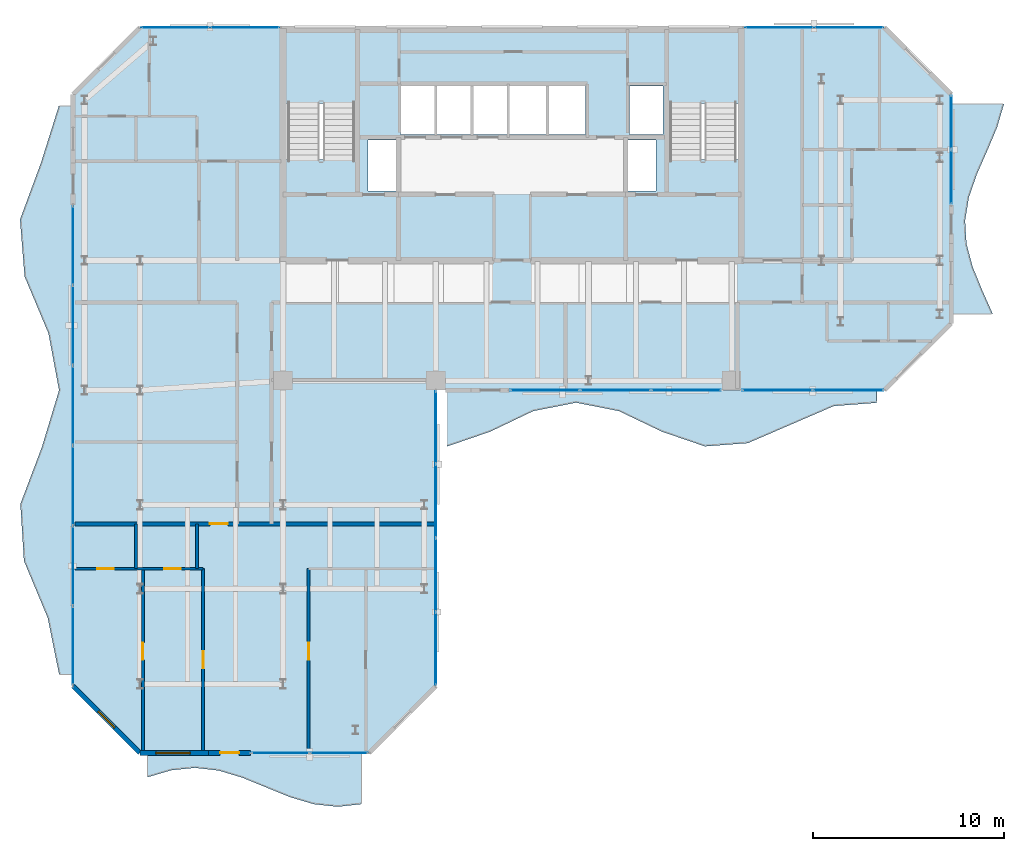
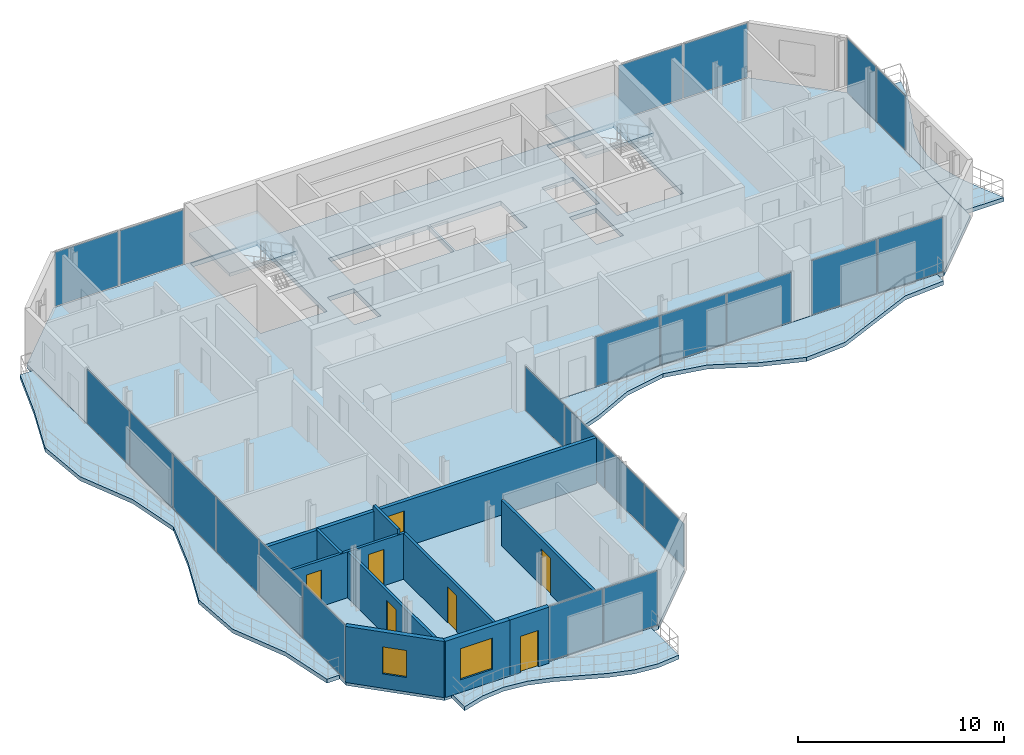
# One storey, part 17 of 23: 23 plates, 10 walls, 7 doors, 7 slabs, 2 windows, 9 openings, 10 elements without a shape of their own.
"""IFC4 building model written with IfcOpenShell, lengths in metres."""

from ifc_helpers import new_model, si_unit, direction, frame, frame_2d, origin, origin_2d, place, context, subcontext, project, spatial, polyline, rectangle, outline, extrude, material, layer, layer_set, type_object, element, fill, aggregate, save


model = new_model("IFC4")

# Units and contexts
model_context = context("Model", 3, precision=1e-05, world=origin(), true_north=direction((0.0, 1.0)))
body_context = subcontext(model_context, "Body", "Model", "MODEL_VIEW")
ifc_project = project(units=[si_unit("LENGTHUNIT", "METRE"), si_unit("AREAUNIT", "SQUARE_METRE"), si_unit("VOLUMEUNIT", "CUBIC_METRE"), si_unit("PLANEANGLEUNIT", "RADIAN"), si_unit("MASSUNIT", "GRAM", prefix="KILO")], contexts=[model_context])

# Site, building, storey
site_placement = place(None, origin())
site = spatial("IfcSite", under=ifc_project, at=site_placement, CompositionType="ELEMENT")
building_placement = place(site_placement, origin())
building = spatial("IfcBuilding", under=site, at=building_placement, Name="Catumbela Crestline Tower", CompositionType="ELEMENT")
storey_placement = place(building_placement, frame((0.0, 0.0, 201.0)))
storey = spatial("IfcBuildingStorey", under=building, at=storey_placement, Name="L52", CompositionType="ELEMENT", Elevation=201.0)

# Curtain wall, plates
ifc_material_1 = material(Name="Aluminium alloy AW-6060-T66", Category="aluminium")
ifc_layer_1 = layer(ifc_material_1, 0.18, Name="Aluminium alloy AW-6060-T66")
ifc_layer_set_1 = layer_set([ifc_layer_1], Name="Aluminium alloy AW-6060-T66")
curtain_wall_type = type_object("IfcCurtainWallType", Name="CWU-Z3", PredefinedType="USERDEFINED", material=ifc_layer_set_1)
curtain_wall_1_placement = place(storey_placement, origin())
curtain_wall_1 = element("IfcCurtainWall", 1, at=curtain_wall_1_placement, inside=storey, type_object=curtain_wall_type, Name="L52 Unitised Curtain Wall CW-L52-E0S2", ObjectType="UNITISED", PredefinedType="USERDEFINED")
ifc_material_2 = material(Name="Low-E laminated solar-control double glazing", Category="glass")
ifc_layer_2 = layer(ifc_material_2, 0.036, Name="Low-E laminated solar-control double glazing")
ifc_layer_set_2 = layer_set([ifc_layer_2], Name="Low-E laminated solar-control double glazing")
plate_type = type_object("IfcPlateType", Name="PNL-GLZ-Z3", PredefinedType="CURTAIN_PANEL", material=ifc_layer_set_2)
plate_1_placement = place(storey_placement, frame((15.8662, 5.0, 0.06), z_axis=(0.0, 0.0, 1.0), x_axis=(1.0, 0.0, 0.0)))
plate_1 = element("IfcPlate", 2, at=plate_1_placement, type_object=plate_type, Name="CWU-Z3 panel 1.1", PredefinedType="CURTAIN_PANEL", context=body_context, shape_type="SweptSolid", body=[
    extrude(rectangle(XDim=3.0025, YDim=0.034, at=origin_2d()), origin(), (0.0, 0.0, 1.0), 3.21),
])
plate_2_placement = place(storey_placement, frame((18.9338, 5.0, 0.06), z_axis=(0.0, 0.0, 1.0), x_axis=(1.0, 0.0, 0.0)))
plate_2 = element("IfcPlate", 3, at=plate_2_placement, type_object=plate_type, Name="CWU-Z3 panel 2.1", PredefinedType="CURTAIN_PANEL", context=body_context, shape_type="SweptSolid", body=[
    extrude(rectangle(XDim=3.0025, YDim=0.034, at=origin_2d()), origin(), (0.0, 0.0, 1.0), 3.21),
])
aggregate(curtain_wall_1, [plate_1, plate_2])

curtain_wall_2_placement = place(storey_placement, origin())
curtain_wall_2 = element("IfcCurtainWall", 4, at=curtain_wall_2_placement, inside=storey, type_object=curtain_wall_type, Name="L52 Unitised Curtain Wall CW-L52-E2S1", ObjectType="UNITISED", PredefinedType="USERDEFINED")
plate_3_placement = place(storey_placement, frame((24.0, 10.4538, 0.06), z_axis=(0.0, 0.0, 1.0), x_axis=(0.0, 1.0, 0.0)))
plate_3 = element("IfcPlate", 5, at=plate_3_placement, type_object=plate_type, Name="CWU-Z3 panel 1.1", PredefinedType="CURTAIN_PANEL", context=body_context, shape_type="SweptSolid", body=[
    extrude(rectangle(XDim=3.7775, YDim=0.034, at=origin_2d()), origin(), (0.0, 0.0, 1.0), 2.6),
])
plate_4_placement = place(storey_placement, frame((24.0, 14.3125, 0.06), z_axis=(0.0, 0.0, 1.0), x_axis=(0.0, 1.0, 0.0)))
plate_4 = element("IfcPlate", 6, at=plate_4_placement, type_object=plate_type, Name="CWU-Z3 panel 2.1", PredefinedType="CURTAIN_PANEL", context=body_context, shape_type="SweptSolid", body=[
    extrude(rectangle(XDim=3.81, YDim=0.034, at=origin_2d()), origin(), (0.0, 0.0, 1.0), 2.6),
])
plate_5_placement = place(storey_placement, frame((24.0, 18.1875, 0.06), z_axis=(0.0, 0.0, 1.0), x_axis=(0.0, 1.0, 0.0)))
plate_5 = element("IfcPlate", 7, at=plate_5_placement, type_object=plate_type, Name="CWU-Z3 panel 3.1", PredefinedType="CURTAIN_PANEL", context=body_context, shape_type="SweptSolid", body=[
    extrude(rectangle(XDim=3.81, YDim=0.034, at=origin_2d()), origin(), (0.0, 0.0, 1.0), 2.6),
])
plate_6_placement = place(storey_placement, frame((24.0, 22.0462, 0.06), z_axis=(0.0, 0.0, 1.0), x_axis=(0.0, 1.0, 0.0)))
plate_6 = element("IfcPlate", 8, at=plate_6_placement, type_object=plate_type, Name="CWU-Z3 panel 4.1", PredefinedType="CURTAIN_PANEL", context=body_context, shape_type="SweptSolid", body=[
    extrude(rectangle(XDim=3.7775, YDim=0.034, at=origin_2d()), origin(), (0.0, 0.0, 1.0), 2.6),
])
aggregate(curtain_wall_2, [plate_3, plate_4, plate_5, plate_6])

curtain_wall_3_placement = place(storey_placement, origin())
curtain_wall_3 = element("IfcCurtainWall", 9, at=curtain_wall_3_placement, inside=storey, type_object=curtain_wall_type, Name="L52 Unitised Curtain Wall CW-L52-E3S2", ObjectType="UNITISED", PredefinedType="USERDEFINED")
plate_7_placement = place(storey_placement, frame((29.7246, 24.0, 0.06), z_axis=(0.0, 0.0, 1.0), x_axis=(1.0, 0.0, 0.0)))
plate_7 = element("IfcPlate", 10, at=plate_7_placement, type_object=plate_type, Name="CWU-Z3 panel 1.1", PredefinedType="CURTAIN_PANEL", context=body_context, shape_type="SweptSolid", body=[
    extrude(rectangle(XDim=3.6192, YDim=0.034, at=origin_2d()), origin(), (0.0, 0.0, 1.0), 2.92),
])
plate_8_placement = place(storey_placement, frame((33.425, 24.0, 0.06), z_axis=(0.0, 0.0, 1.0), x_axis=(1.0, 0.0, 0.0)))
plate_8 = element("IfcPlate", 11, at=plate_8_placement, type_object=plate_type, Name="CWU-Z3 panel 2.1", PredefinedType="CURTAIN_PANEL", context=body_context, shape_type="SweptSolid", body=[
    extrude(rectangle(XDim=3.6517, YDim=0.034, at=origin_2d()), origin(), (0.0, 0.0, 1.0), 2.92),
])
plate_9_placement = place(storey_placement, frame((37.1254, 24.0, 0.06), z_axis=(0.0, 0.0, 1.0), x_axis=(1.0, 0.0, 0.0)))
plate_9 = element("IfcPlate", 12, at=plate_9_placement, type_object=plate_type, Name="CWU-Z3 panel 3.1", PredefinedType="CURTAIN_PANEL", context=body_context, shape_type="SweptSolid", body=[
    extrude(rectangle(XDim=3.6192, YDim=0.034, at=origin_2d()), origin(), (0.0, 0.0, 1.0), 2.92),
])
aggregate(curtain_wall_3, [plate_7, plate_8, plate_9])

curtain_wall_4_placement = place(storey_placement, origin())
curtain_wall_4 = element("IfcCurtainWall", 13, at=curtain_wall_4_placement, inside=storey, type_object=curtain_wall_type, Name="L52 Unitised Curtain Wall CW-L52-E3S3", ObjectType="UNITISED", PredefinedType="USERDEFINED")
plate_10_placement = place(storey_placement, frame((41.8912, 24.0, 0.06), z_axis=(0.0, 0.0, 1.0), x_axis=(1.0, 0.0, 0.0)))
plate_10 = element("IfcPlate", 14, at=plate_10_placement, type_object=plate_type, Name="CWU-Z3 panel 1.1", PredefinedType="CURTAIN_PANEL", context=body_context, shape_type="SweptSolid", body=[
    extrude(rectangle(XDim=3.6525, YDim=0.034, at=origin_2d()), origin(), (0.0, 0.0, 1.0), 3.21),
])
plate_11_placement = place(storey_placement, frame((45.6088, 24.0, 0.06), z_axis=(0.0, 0.0, 1.0), x_axis=(1.0, 0.0, 0.0)))
plate_11 = element("IfcPlate", 15, at=plate_11_placement, type_object=plate_type, Name="CWU-Z3 panel 2.1", PredefinedType="CURTAIN_PANEL", context=body_context, shape_type="SweptSolid", body=[
    extrude(rectangle(XDim=3.6525, YDim=0.034, at=origin_2d()), origin(), (0.0, 0.0, 1.0), 3.21),
])
aggregate(curtain_wall_4, [plate_10, plate_11])

curtain_wall_5_placement = place(storey_placement, origin())
curtain_wall_5 = element("IfcCurtainWall", 16, at=curtain_wall_5_placement, inside=storey, type_object=curtain_wall_type, Name="L52 Unitised Curtain Wall CW-L52-E5S2", ObjectType="UNITISED", PredefinedType="USERDEFINED")
plate_12_placement = place(storey_placement, frame((51.0, 35.1662, 0.06), z_axis=(0.0, 0.0, 1.0), x_axis=(0.0, 1.0, 0.0)))
plate_12 = element("IfcPlate", 17, at=plate_12_placement, type_object=plate_type, Name="CWU-Z3 panel 1.1", PredefinedType="CURTAIN_PANEL", context=body_context, shape_type="SweptSolid", body=[
    extrude(rectangle(XDim=2.8025, YDim=0.034, at=origin_2d()), origin(), (0.0, 0.0, 1.0), 3.21),
])
plate_13_placement = place(storey_placement, frame((51.0, 38.0338, 0.06), z_axis=(0.0, 0.0, 1.0), x_axis=(0.0, 1.0, 0.0)))
plate_13 = element("IfcPlate", 18, at=plate_13_placement, type_object=plate_type, Name="CWU-Z3 panel 2.1", PredefinedType="CURTAIN_PANEL", context=body_context, shape_type="SweptSolid", body=[
    extrude(rectangle(XDim=2.8025, YDim=0.034, at=origin_2d()), origin(), (0.0, 0.0, 1.0), 3.21),
])
aggregate(curtain_wall_5, [plate_12, plate_13])

curtain_wall_6_placement = place(storey_placement, origin())
curtain_wall_6 = element("IfcCurtainWall", 19, at=curtain_wall_6_placement, inside=storey, type_object=curtain_wall_type, Name="L52 Unitised Curtain Wall CW-L52-E7S1", ObjectType="UNITISED", PredefinedType="USERDEFINED")
plate_14_placement = place(storey_placement, frame((45.6438, 43.0, 0.06), z_axis=(0.0, 0.0, 1.0), x_axis=(-1.0, 0.0, 0.0)))
plate_14 = element("IfcPlate", 20, at=plate_14_placement, type_object=plate_type, Name="CWU-Z3 panel 1.1", PredefinedType="CURTAIN_PANEL", context=body_context, shape_type="SweptSolid", body=[
    extrude(rectangle(XDim=3.5825, YDim=0.034, at=origin_2d()), origin(), (0.0, 0.0, 1.0), 3.21),
])
plate_15_placement = place(storey_placement, frame((41.9963, 43.0, 0.06), z_axis=(0.0, 0.0, 1.0), x_axis=(-1.0, 0.0, 0.0)))
plate_15 = element("IfcPlate", 21, at=plate_15_placement, type_object=plate_type, Name="CWU-Z3 panel 2.1", PredefinedType="CURTAIN_PANEL", context=body_context, shape_type="SweptSolid", body=[
    extrude(rectangle(XDim=3.5825, YDim=0.034, at=origin_2d()), origin(), (0.0, 0.0, 1.0), 3.21),
])
aggregate(curtain_wall_6, [plate_14, plate_15])

curtain_wall_7_placement = place(storey_placement, origin())
curtain_wall_7 = element("IfcCurtainWall", 22, at=curtain_wall_7_placement, inside=storey, type_object=curtain_wall_type, Name="L52 Unitised Curtain Wall CW-L52-E7S2", ObjectType="UNITISED", PredefinedType="USERDEFINED")
plate_16_placement = place(storey_placement, frame((14.0038, 43.0, 0.06), z_axis=(0.0, 0.0, 1.0), x_axis=(-1.0, 0.0, 0.0)))
plate_16 = element("IfcPlate", 23, at=plate_16_placement, type_object=plate_type, Name="CWU-Z3 panel 1.1", PredefinedType="CURTAIN_PANEL", context=body_context, shape_type="SweptSolid", body=[
    extrude(rectangle(XDim=3.5825, YDim=0.034, at=origin_2d()), origin(), (0.0, 0.0, 1.0), 3.21),
])
plate_17_placement = place(storey_placement, frame((10.3562, 43.0, 0.06), z_axis=(0.0, 0.0, 1.0), x_axis=(-1.0, 0.0, 0.0)))
plate_17 = element("IfcPlate", 24, at=plate_17_placement, type_object=plate_type, Name="CWU-Z3 panel 2.1", PredefinedType="CURTAIN_PANEL", context=body_context, shape_type="SweptSolid", body=[
    extrude(rectangle(XDim=3.5825, YDim=0.034, at=origin_2d()), origin(), (0.0, 0.0, 1.0), 3.21),
])
aggregate(curtain_wall_7, [plate_16, plate_17])

curtain_wall_8_placement = place(storey_placement, origin())
curtain_wall_8 = element("IfcCurtainWall", 25, at=curtain_wall_8_placement, inside=storey, type_object=curtain_wall_type, Name="L52 Unitised Curtain Wall CW-L52-E9S2", ObjectType="UNITISED", PredefinedType="USERDEFINED")
plate_18_placement = place(storey_placement, frame((5.0, 31.5838, 0.06), z_axis=(0.0, 0.0, 1.0), x_axis=(0.0, -1.0, 0.0)))
plate_18 = element("IfcPlate", 26, at=plate_18_placement, type_object=plate_type, Name="CWU-Z3 panel 1.1", PredefinedType="CURTAIN_PANEL", context=body_context, shape_type="SweptSolid", body=[
    extrude(rectangle(XDim=4.1025, YDim=0.034, at=origin_2d()), origin(), (0.0, 0.0, 1.0), 3.21),
])
plate_19_placement = place(storey_placement, frame((5.0, 27.4, 0.06), z_axis=(0.0, 0.0, 1.0), x_axis=(0.0, -1.0, 0.0)))
plate_19 = element("IfcPlate", 27, at=plate_19_placement, type_object=plate_type, Name="CWU-Z3 panel 2.1", PredefinedType="CURTAIN_PANEL", context=body_context, shape_type="SweptSolid", body=[
    extrude(rectangle(XDim=4.135, YDim=0.034, at=origin_2d()), origin(), (0.0, 0.0, 1.0), 3.21),
])
plate_20_placement = place(storey_placement, frame((5.0, 23.2, 0.06), z_axis=(0.0, 0.0, 1.0), x_axis=(0.0, -1.0, 0.0)))
plate_20 = element("IfcPlate", 28, at=plate_20_placement, type_object=plate_type, Name="CWU-Z3 panel 3.1", PredefinedType="CURTAIN_PANEL", context=body_context, shape_type="SweptSolid", body=[
    extrude(rectangle(XDim=4.135, YDim=0.034, at=origin_2d()), origin(), (0.0, 0.0, 1.0), 3.21),
])
plate_21_placement = place(storey_placement, frame((5.0, 19.0, 0.06), z_axis=(0.0, 0.0, 1.0), x_axis=(0.0, -1.0, 0.0)))
plate_21 = element("IfcPlate", 29, at=plate_21_placement, type_object=plate_type, Name="CWU-Z3 panel 4.1", PredefinedType="CURTAIN_PANEL", context=body_context, shape_type="SweptSolid", body=[
    extrude(rectangle(XDim=4.135, YDim=0.034, at=origin_2d()), origin(), (0.0, 0.0, 1.0), 3.21),
])
plate_22_placement = place(storey_placement, frame((5.0, 14.8, 0.06), z_axis=(0.0, 0.0, 1.0), x_axis=(0.0, -1.0, 0.0)))
plate_22 = element("IfcPlate", 30, at=plate_22_placement, type_object=plate_type, Name="CWU-Z3 panel 5.1", PredefinedType="CURTAIN_PANEL", context=body_context, shape_type="SweptSolid", body=[
    extrude(rectangle(XDim=4.135, YDim=0.034, at=origin_2d()), origin(), (0.0, 0.0, 1.0), 3.21),
])
plate_23_placement = place(storey_placement, frame((5.0, 10.6163, 0.06), z_axis=(0.0, 0.0, 1.0), x_axis=(0.0, -1.0, 0.0)))
plate_23 = element("IfcPlate", 31, at=plate_23_placement, type_object=plate_type, Name="CWU-Z3 panel 6.1", PredefinedType="CURTAIN_PANEL", context=body_context, shape_type="SweptSolid", body=[
    extrude(rectangle(XDim=4.1025, YDim=0.034, at=origin_2d()), origin(), (0.0, 0.0, 1.0), 3.21),
])
aggregate(curtain_wall_8, [plate_18, plate_19, plate_20, plate_21, plate_22, plate_23])

# Stair, slab
ifc_material_3 = material(Name="Concrete C45/55", Category="concrete")
stair_type = type_object("IfcStairType", Name="ST-DLG", PredefinedType="HALF_TURN_STAIR", material=ifc_material_3)
stair_1_placement = place(storey_placement, origin())
stair_1 = element("IfcStair", 32, at=stair_1_placement, inside=storey, type_object=stair_type, Name="L52 West Core Pressurised Exit Stair ST-01", PredefinedType="HALF_TURN_STAIR")
ifc_layer_3 = layer(ifc_material_3, 0.2, Name="Concrete C45/55")
ifc_layer_set_3 = layer_set([ifc_layer_3], Name="Concrete C45/55")
slab_type_1 = type_object("IfcSlabType", Name="SL-LND", PredefinedType="LANDING", material=ifc_layer_set_3)
slab_1_placement = place(storey_placement, frame((0.0, 0.0, 1.6)))
slab_1 = element("IfcSlab", 33, at=slab_1_placement, type_object=slab_type_1, Name="ST-01 landing 1", PredefinedType="LANDING", context=body_context, shape_type="SweptSolid", body=[
    extrude(outline(polyline([(19.91, 39.02), (19.91, 42.96), (16.09, 42.96), (16.09, 39.02), (19.91, 39.02)])), origin(), (0.0, 0.0, 1.0), 0.2),
])
aggregate(stair_1, [slab_1])

stair_2_placement = place(storey_placement, origin())
stair_2 = element("IfcStair", 34, at=stair_2_placement, inside=storey, type_object=stair_type, Name="L52 East Core Pressurised Exit Stair ST-02", PredefinedType="HALF_TURN_STAIR")
slab_2_placement = place(storey_placement, frame((0.0, 0.0, 1.6)))
slab_2 = element("IfcSlab", 35, at=slab_2_placement, type_object=slab_type_1, Name="ST-02 landing 1", PredefinedType="LANDING", context=body_context, shape_type="SweptSolid", body=[
    extrude(outline(polyline([(39.91, 39.02), (39.91, 42.96), (36.09, 42.96), (36.09, 39.02), (39.91, 39.02)])), origin(), (0.0, 0.0, 1.0), 0.2),
])
aggregate(stair_2, [slab_2])

# Slabs
ifc_layer_4 = layer(ifc_material_3, 0.26, Name="Concrete C45/55")
ifc_layer_set_4 = layer_set([ifc_layer_4], Name="Concrete C45/55")
slab_type_2 = type_object("IfcSlabType", Name="SL-260", PredefinedType="FLOOR", material=ifc_layer_set_4)
slab_3_placement = place(storey_placement, frame((0.0, 0.0, -0.26)))
element("IfcSlab", 36, at=slab_3_placement, inside=storey, type_object=slab_type_2, Name="L52 Structural Floor Slab", PredefinedType="FLOOR", context=body_context, shape_type="SweptSolid", body=[
    extrude(outline(polyline([(8.5, 5.0), (20.5, 5.0), (24.0, 8.5), (24.0, 24.0), (47.5, 24.0), (51.0, 27.5), (51.0, 39.5), (47.5, 43.0), (8.5, 43.0), (5.0, 39.5), (5.0, 8.5), (8.5, 5.0)]), holes=[polyline([(16.13, 36.08), (19.87, 36.08), (19.87, 42.92), (16.13, 42.92), (16.13, 36.08)]), polyline([(36.13, 36.08), (39.87, 36.08), (39.87, 42.92), (36.13, 42.92), (36.13, 36.08)]), polyline([(22.15, 37.4), (27.75, 37.4), (27.75, 39.95), (22.15, 39.95), (22.15, 37.4)]), polyline([(27.85, 37.4), (31.85, 37.4), (31.85, 39.95), (27.85, 39.95), (27.85, 37.4)]), polyline([(20.45, 34.45), (21.95, 34.45), (21.95, 37.1), (20.45, 37.1), (20.45, 34.45)]), polyline([(34.05, 34.45), (35.55, 34.45), (35.55, 37.1), (34.05, 37.1), (34.05, 34.45)]), polyline([(34.15, 37.4), (35.9, 37.4), (35.9, 39.95), (34.15, 39.95), (34.15, 37.4)])]), origin(), (0.0, 0.0, 1.0), 0.26),
])
ifc_layer_5 = layer(ifc_material_3, 0.24, Name="Concrete C45/55")
ifc_layer_set_5 = layer_set([ifc_layer_5], Name="Concrete C45/55")
slab_type_3 = type_object("IfcSlabType", Name="SB-240W", PredefinedType="USERDEFINED", material=ifc_layer_set_5)
slab_4_placement = place(storey_placement, frame((0.0, 0.0, -0.24)))
element("IfcSlab", 37, at=slab_4_placement, inside=storey, type_object=slab_type_3, Name="L52 Cantilevered Wave Balcony Slab SPINE-S", ObjectType="BALCONY", PredefinedType="USERDEFINED", context=body_context, shape_type="SweptSolid", body=[
    extrude(outline(polyline([(24.6, 21.0587), (26.85, 21.8292), (29.1, 22.9053), (31.35, 23.35), (33.6, 22.9053), (35.85, 21.8292), (38.1, 21.0587), (40.35, 21.2292), (42.6, 22.2), (44.85, 23.1708), (47.1, 23.3413), (47.1, 23.99), (24.6, 23.99), (24.6, 21.0587)])), origin(), (0.0, 0.0, 1.0), 0.24),
])
slab_5_placement = place(storey_placement, frame((0.0, 0.0, -0.24)))
element("IfcSlab", 38, at=slab_5_placement, inside=storey, type_object=slab_type_3, Name="L52 Cantilevered Wave Balcony Slab SPINE-E", ObjectType="BALCONY", PredefinedType="USERDEFINED", context=body_context, shape_type="SweptSolid", body=[
    extrude(outline(polyline([(51.01, 28.0), (53.1771, 28.0), (52.6329, 29.2222), (52.1316, 30.4444), (51.8017, 31.6667), (51.7278, 32.8889), (51.9288, 34.1111), (52.3533, 35.3333), (52.8922, 36.5556), (53.4076, 37.7778), (53.7671, 39.0), (51.01, 39.0), (51.01, 28.0)])), origin(), (0.0, 0.0, 1.0), 0.24),
])
slab_6_placement = place(storey_placement, frame((0.0, 0.0, -0.24)))
element("IfcSlab", 39, at=slab_6_placement, inside=storey, type_object=slab_type_3, Name="L52 Cantilevered Wave Balcony Slab WING-S", ObjectType="BALCONY", PredefinedType="USERDEFINED", context=body_context, shape_type="SweptSolid", body=[
    extrude(outline(polyline([(8.9, 3.7274), (10.1444, 4.0921), (11.3889, 4.2199), (12.6333, 4.0768), (13.8778, 3.7007), (15.1222, 3.1917), (16.3667, 2.6849), (17.6111, 2.3149), (18.8556, 2.18), (20.1, 2.3161), (20.1, 4.99), (8.9, 4.99), (8.9, 3.7274)])), origin(), (0.0, 0.0, 1.0), 0.24),
])
slab_7_placement = place(storey_placement, frame((0.0, 0.0, -0.24)))
element("IfcSlab", 40, at=slab_7_placement, inside=storey, type_object=slab_type_3, Name="L52 Cantilevered Wave Balcony Slab WEST", ObjectType="BALCONY", PredefinedType="USERDEFINED", context=body_context, shape_type="SweptSolid", body=[
    extrude(outline(polyline([(4.99, 38.9), (4.256, 38.9), (3.32, 35.92), (2.2201, 32.94), (2.4588, 29.96), (3.71, 26.98), (4.2646, 24.0), (3.3648, 21.02), (2.2399, 18.04), (2.4265, 15.06), (3.6697, 12.08), (4.2712, 9.1), (4.99, 9.1), (4.99, 38.9)])), origin(), (0.0, 0.0, 1.0), 0.24),
])

# Wall, opening, door
ifc_material_4 = material(Name="Angolan grey-ochre granite", Category="masonry")
ifc_layer_6 = layer(ifc_material_4, 0.25, Name="Angolan grey-ochre granite")
ifc_layer_set_6 = layer_set([ifc_layer_6], Name="Angolan grey-ochre granite")
wall_type_1 = type_object("IfcWallType", Name="WE-250", PredefinedType="STANDARD", material=ifc_layer_set_6)
wall_1_placement = place(storey_placement, frame((12.1, 5.0, 0.0), z_axis=(0.0, 0.0, 1.0), x_axis=(1.0, 0.0, 0.0)))
wall_1 = element("IfcWall", 41, at=wall_1_placement, inside=storey, type_object=wall_type_1, Name="L52 Exterior Threshold Portal Wall DR-L52-WBAL-3", PredefinedType="STANDARD", context=body_context, shape_type="SweptSolid", body=[
    extrude(rectangle(XDim=2.2, YDim=0.25, at=frame_2d((1.1, 0.0))), origin(), (0.0, 0.0, 1.0), 3.33),
])
opening_1_placement = place(wall_1_placement, frame((0.6, 0.0, 0.0)))
opening_1 = element("IfcOpeningElement", 42, at=opening_1_placement, cuts=wall_1, Name="Opening DB-L52-3", PredefinedType="OPENING", context=body_context, shape_type="SweptSolid", body=[
    extrude(rectangle(XDim=1.0, YDim=2.15, at=frame_2d((0.5, 1.075))), frame((0.0, 0.135, 0.0), z_axis=(0.0, -1.0, 0.0), x_axis=(1.0, 0.0, 0.0)), (0.0, 0.0, 1.0), 0.27),
])
door_type_1 = type_object("IfcDoorType", Name="DB-1000", OperationType="NOTDEFINED", PredefinedType="DOOR", material=ifc_material_1)
door_1_placement = place(opening_1_placement, origin())
door_1 = element("IfcDoor", 43, at=door_1_placement, inside=storey, type_object=door_type_1, Name="L52 Wave Balcony Terrace Door 3", OperationType="SINGLE_SWING_RIGHT", OverallHeight=2.15, OverallWidth=1.0, PredefinedType="DOOR", context=body_context, shape_type="SweptSolid", body=[
    extrude(rectangle(XDim=1.0, YDim=2.15, at=frame_2d((0.5, 1.075))), frame((0.0, 0.025, 0.0), z_axis=(0.0, -1.0, 0.0), x_axis=(1.0, 0.0, 0.0)), (0.0, 0.0, 1.0), 0.05),
])
fill(opening_1, door_1)

# Wall, opening, window
wall_2_placement = place(storey_placement, frame((8.5, 5.0, 0.0), z_axis=(0.0, 0.0, 1.0), x_axis=(1.0, 0.0, 0.0)))
wall_2 = element("IfcWall", 44, at=wall_2_placement, inside=storey, type_object=wall_type_1, Name="L52 Granite Punched Window Wall 0-1", PredefinedType="STANDARD", context=body_context, shape_type="SweptSolid", body=[
    extrude(rectangle(XDim=3.6, YDim=0.25, at=frame_2d((1.8, 0.0))), origin(), (0.0, 0.0, 1.0), 3.33),
])
opening_2_placement = place(wall_2_placement, frame((0.835, 0.0, 0.75)))
opening_2 = element("IfcOpeningElement", 45, at=opening_2_placement, cuts=wall_2, Name="Opening WN-01", PredefinedType="OPENING", context=body_context, shape_type="SweptSolid", body=[
    extrude(rectangle(XDim=1.8, YDim=1.85, at=frame_2d((0.9, 0.925))), frame((0.0, 0.135, 0.0), z_axis=(0.0, -1.0, 0.0), x_axis=(1.0, 0.0, 0.0)), (0.0, 0.0, 1.0), 0.27),
])
window_type_1 = type_object("IfcWindowType", Name="WF-1800", PartitioningType="SINGLE_PANEL", PredefinedType="WINDOW", material=ifc_material_2)
window_1_placement = place(opening_2_placement, origin())
window_1 = element("IfcWindow", 46, at=window_1_placement, inside=storey, type_object=window_type_1, Name="L52 Facade Vision Window 345", OverallHeight=1.85, OverallWidth=1.8, PartitioningType="SINGLE_PANEL", PredefinedType="WINDOW", context=body_context, shape_type="SweptSolid", body=[
    extrude(rectangle(XDim=1.8, YDim=1.85, at=frame_2d((0.9, 0.925))), frame((0.0, 0.03, 0.0), z_axis=(0.0, -1.0, 0.0), x_axis=(1.0, 0.0, 0.0)), (0.0, 0.0, 1.0), 0.06),
])
fill(opening_2, window_1)

wall_3_placement = place(storey_placement, frame((5.0, 8.5, 0.0), z_axis=(0.0, 0.0, 1.0), x_axis=(0.707106781187, -0.707106781187, 0.0)))
wall_3 = element("IfcWall", 47, at=wall_3_placement, inside=storey, type_object=wall_type_1, Name="L52 Granite Punched Window Wall 10-1", PredefinedType="STANDARD", context=body_context, shape_type="SweptSolid", body=[
    extrude(rectangle(XDim=4.9497, YDim=0.25, at=frame_2d((2.4748, 0.0))), origin(), (0.0, 0.0, 1.0), 3.33),
])
opening_3_placement = place(wall_3_placement, frame((1.8748, 0.0, 0.85)))
opening_3 = element("IfcOpeningElement", 48, at=opening_3_placement, cuts=wall_3, Name="Opening WN-02", PredefinedType="OPENING", context=body_context, shape_type="SweptSolid", body=[
    extrude(rectangle(XDim=1.2, YDim=1.6, at=frame_2d((0.6, 0.8))), frame((0.0, 0.135, 0.0), z_axis=(0.0, -1.0, 0.0), x_axis=(1.0, 0.0, 0.0)), (0.0, 0.0, 1.0), 0.27),
])
window_type_2 = type_object("IfcWindowType", Name="WO-1200", PartitioningType="SINGLE_PANEL", PredefinedType="WINDOW", material=ifc_material_2)
window_2_placement = place(opening_3_placement, origin())
window_2 = element("IfcWindow", 49, at=window_2_placement, inside=storey, type_object=window_type_2, Name="L52 Facade Vision Window 352", OverallHeight=1.6, OverallWidth=1.2, PartitioningType="SINGLE_PANEL", PredefinedType="WINDOW", context=body_context, shape_type="SweptSolid", body=[
    extrude(rectangle(XDim=1.2, YDim=1.6, at=frame_2d((0.6, 0.8))), frame((0.0, 0.03, 0.0), z_axis=(0.0, -1.0, 0.0), x_axis=(1.0, 0.0, 0.0)), (0.0, 0.0, 1.0), 0.06),
])
fill(opening_3, window_2)

# Walls
ifc_material_5 = material(Name="Acoustic gypsum and mineral-wool partition")
ifc_layer_7 = layer(ifc_material_5, 0.15, Name="Acoustic gypsum and mineral-wool partition")
ifc_layer_set_7 = layer_set([ifc_layer_7], Name="Acoustic gypsum and mineral-wool partition")
wall_type_2 = type_object("IfcWallType", Name="WP-150", PredefinedType="PARTITIONING", material=ifc_layer_set_7)
wall_4_placement = place(storey_placement, frame((11.5, 14.65, 0.0), z_axis=(0.0, 0.0, 1.0), x_axis=(0.0, 1.0, 0.0)))
element("IfcWall", 50, at=wall_4_placement, inside=storey, type_object=wall_type_2, Name="L52 Interior Partition PW-L52-SH1-KBE", PredefinedType="PARTITIONING", context=body_context, shape_type="SweptSolid", body=[
    extrude(rectangle(XDim=2.35, YDim=0.15, at=frame_2d((1.175, 0.0))), origin(), (0.0, 0.0, 1.0), 3.02),
])
wall_5_placement = place(storey_placement, frame((8.3, 14.65, 0.0), z_axis=(0.0, 0.0, 1.0), x_axis=(0.0, 1.0, 0.0)))
element("IfcWall", 51, at=wall_5_placement, inside=storey, type_object=wall_type_2, Name="L52 Interior Partition PW-L52-SH1-KBM", PredefinedType="PARTITIONING", context=body_context, shape_type="SweptSolid", body=[
    extrude(rectangle(XDim=2.35, YDim=0.15, at=frame_2d((1.175, 0.0))), origin(), (0.0, 0.0, 1.0), 2.72),
])

# Wall, openings, doors
wall_6_placement = place(storey_placement, frame((5.1, 14.65, 0.0), z_axis=(0.0, 0.0, 1.0), x_axis=(1.0, 0.0, 0.0)))
wall_6 = element("IfcWall", 52, at=wall_6_placement, inside=storey, type_object=wall_type_2, Name="L52 Interior Partition PW-L52-SH1-KBD1", PredefinedType="PARTITIONING", context=body_context, shape_type="SweptSolid", body=[
    extrude(rectangle(XDim=6.71, YDim=0.15, at=frame_2d((3.355, 0.0))), origin(), (0.0, 0.0, 1.0), 2.72),
])
opening_4_placement = place(wall_6_placement, frame((1.175, 0.0, 0.0)))
opening_4 = element("IfcOpeningElement", 53, at=opening_4_placement, cuts=wall_6, Name="Opening DI-085", PredefinedType="OPENING", context=body_context, shape_type="SweptSolid", body=[
    extrude(rectangle(XDim=0.85, YDim=2.15, at=frame_2d((0.425, 1.075))), frame((0.0, 0.085, 0.0), z_axis=(0.0, -1.0, 0.0), x_axis=(1.0, 0.0, 0.0)), (0.0, 0.0, 1.0), 0.17),
])
opening_5_placement = place(wall_6_placement, frame((4.6795, 0.0, 0.0)))
opening_5 = element("IfcOpeningElement", 54, at=opening_5_placement, cuts=wall_6, Name="Opening DI-085", PredefinedType="OPENING", context=body_context, shape_type="SweptSolid", body=[
    extrude(rectangle(XDim=0.85, YDim=2.15, at=frame_2d((0.425, 1.075))), frame((0.0, 0.085, 0.0), z_axis=(0.0, -1.0, 0.0), x_axis=(1.0, 0.0, 0.0)), (0.0, 0.0, 1.0), 0.17),
])
door_type_2 = type_object("IfcDoorType", Name="DI-085", OperationType="NOTDEFINED", PredefinedType="DOOR", material=ifc_material_1)
door_2_placement = place(opening_4_placement, origin())
door_2 = element("IfcDoor", 55, at=door_2_placement, inside=storey, type_object=door_type_2, Name="L52 Interior Door DR-L52-SH1-KIT", OperationType="SINGLE_SWING_LEFT", OverallHeight=2.15, OverallWidth=0.85, PredefinedType="DOOR", context=body_context, shape_type="SweptSolid", body=[
    extrude(rectangle(XDim=0.85, YDim=2.15, at=frame_2d((0.425, 1.075))), frame((0.0, 0.025, 0.0), z_axis=(0.0, -1.0, 0.0), x_axis=(1.0, 0.0, 0.0)), (0.0, 0.0, 1.0), 0.05),
])
fill(opening_4, door_2)
door_3_placement = place(opening_5_placement, origin())
door_3 = element("IfcDoor", 56, at=door_3_placement, inside=storey, type_object=door_type_2, Name="L52 Interior Door DR-L52-SH1-BTH", OperationType="SINGLE_SWING_RIGHT", OverallHeight=2.15, OverallWidth=0.85, PredefinedType="DOOR", context=body_context, shape_type="SweptSolid", body=[
    extrude(rectangle(XDim=0.85, YDim=2.15, at=frame_2d((0.425, 1.075))), frame((0.0, 0.025, 0.0), z_axis=(0.0, -1.0, 0.0), x_axis=(1.0, 0.0, 0.0)), (0.0, 0.0, 1.0), 0.05),
])
fill(opening_5, door_3)

# Wall, opening, door
wall_7_placement = place(storey_placement, frame((8.66, 5.1, 0.0), z_axis=(0.0, 0.0, 1.0), x_axis=(0.0, 1.0, 0.0)))
wall_7 = element("IfcWall", 57, at=wall_7_placement, inside=storey, type_object=wall_type_2, Name="L52 Interior Partition PW-L52-SH1-BDL", PredefinedType="PARTITIONING", context=body_context, shape_type="SweptSolid", body=[
    extrude(rectangle(XDim=9.55, YDim=0.15, at=frame_2d((4.775, 0.0))), origin(), (0.0, 0.0, 1.0), 2.72),
])
opening_6_placement = place(wall_7_placement, frame((4.7789, 0.0, 0.0)))
opening_6 = element("IfcOpeningElement", 58, at=opening_6_placement, cuts=wall_7, Name="Opening DI-090", PredefinedType="OPENING", context=body_context, shape_type="SweptSolid", body=[
    extrude(rectangle(XDim=0.9, YDim=2.15, at=frame_2d((0.45, 1.075))), frame((0.0, 0.085, 0.0), z_axis=(0.0, -1.0, 0.0), x_axis=(1.0, 0.0, 0.0)), (0.0, 0.0, 1.0), 0.17),
])
door_type_3 = type_object("IfcDoorType", Name="DI-090", OperationType="NOTDEFINED", PredefinedType="DOOR", material=ifc_material_1)
door_4_placement = place(opening_6_placement, origin())
door_4 = element("IfcDoor", 59, at=door_4_placement, inside=storey, type_object=door_type_3, Name="L52 Interior Door DR-L52-SH1-BD1", OperationType="SINGLE_SWING_LEFT", OverallHeight=2.15, OverallWidth=0.9, PredefinedType="DOOR", context=body_context, shape_type="SweptSolid", body=[
    extrude(rectangle(XDim=0.9, YDim=2.15, at=frame_2d((0.45, 1.075))), frame((0.0, 0.025, 0.0), z_axis=(0.0, -1.0, 0.0), x_axis=(1.0, 0.0, 0.0)), (0.0, 0.0, 1.0), 0.05),
])
fill(opening_6, door_4)

wall_8_placement = place(storey_placement, frame((17.34, 5.1, 0.0), z_axis=(0.0, 0.0, 1.0), x_axis=(0.0, 1.0, 0.0)))
wall_8 = element("IfcWall", 60, at=wall_8_placement, inside=storey, type_object=wall_type_2, Name="L52 Interior Partition PW-L52-SH1-STW", PredefinedType="PARTITIONING", context=body_context, shape_type="SweptSolid", body=[
    extrude(rectangle(XDim=9.55, YDim=0.15, at=frame_2d((4.775, 0.0))), origin(), (0.0, 0.0, 1.0), 2.72),
])
opening_7_placement = place(wall_8_placement, frame((4.7789, 0.0, 0.0)))
opening_7 = element("IfcOpeningElement", 61, at=opening_7_placement, cuts=wall_8, Name="Opening DI-090", PredefinedType="OPENING", context=body_context, shape_type="SweptSolid", body=[
    extrude(rectangle(XDim=0.9, YDim=2.15, at=frame_2d((0.45, 1.075))), frame((0.0, 0.085, 0.0), z_axis=(0.0, -1.0, 0.0), x_axis=(1.0, 0.0, 0.0)), (0.0, 0.0, 1.0), 0.17),
])
door_5_placement = place(opening_7_placement, origin())
door_5 = element("IfcDoor", 62, at=door_5_placement, inside=storey, type_object=door_type_3, Name="L52 Interior Door DR-L52-SH1-STDY", OperationType="SINGLE_SWING_RIGHT", OverallHeight=2.15, OverallWidth=0.9, PredefinedType="DOOR", context=body_context, shape_type="SweptSolid", body=[
    extrude(rectangle(XDim=0.9, YDim=2.15, at=frame_2d((0.45, 1.075))), frame((0.0, 0.025, 0.0), z_axis=(0.0, -1.0, 0.0), x_axis=(1.0, 0.0, 0.0)), (0.0, 0.0, 1.0), 0.05),
])
fill(opening_7, door_5)

wall_9_placement = place(storey_placement, frame((11.81, 5.1, 0.0), z_axis=(0.0, 0.0, 1.0), x_axis=(0.0, 1.0, 0.0)))
wall_9 = element("IfcWall", 63, at=wall_9_placement, inside=storey, type_object=wall_type_2, Name="L52 Interior Partition PW-L52-SH1-DNW", PredefinedType="PARTITIONING", context=body_context, shape_type="SweptSolid", body=[
    extrude(rectangle(XDim=9.55, YDim=0.15, at=frame_2d((4.775, 0.0))), origin(), (0.0, 0.0, 1.0), 2.72),
])
opening_8_placement = place(wall_9_placement, frame((4.325, 0.0, 0.0)))
opening_8 = element("IfcOpeningElement", 64, at=opening_8_placement, cuts=wall_9, Name="Opening DI-090", PredefinedType="OPENING", context=body_context, shape_type="SweptSolid", body=[
    extrude(rectangle(XDim=0.9, YDim=2.15, at=frame_2d((0.45, 1.075))), frame((0.0, 0.085, 0.0), z_axis=(0.0, -1.0, 0.0), x_axis=(1.0, 0.0, 0.0)), (0.0, 0.0, 1.0), 0.17),
])
door_6_placement = place(opening_8_placement, origin())
door_6 = element("IfcDoor", 65, at=door_6_placement, inside=storey, type_object=door_type_3, Name="L52 Interior Door DR-L52-SH1-FDIN", OperationType="SINGLE_SWING_LEFT", OverallHeight=2.15, OverallWidth=0.9, PredefinedType="DOOR", context=body_context, shape_type="SweptSolid", body=[
    extrude(rectangle(XDim=0.9, YDim=2.15, at=frame_2d((0.45, 1.075))), frame((0.0, 0.025, 0.0), z_axis=(0.0, -1.0, 0.0), x_axis=(1.0, 0.0, 0.0)), (0.0, 0.0, 1.0), 0.05),
])
fill(opening_8, door_6)

ifc_layer_8 = layer(ifc_material_5, 0.2, Name="Acoustic gypsum and mineral-wool partition")
ifc_layer_set_8 = layer_set([ifc_layer_8], Name="Acoustic gypsum and mineral-wool partition")
wall_type_3 = type_object("IfcWallType", Name="WY-200", PredefinedType="PARTITIONING", material=ifc_layer_set_8)
wall_10_placement = place(storey_placement, frame((5.1, 17.0, 0.0), z_axis=(0.0, 0.0, 1.0), x_axis=(1.0, 0.0, 0.0)))
wall_10 = element("IfcWall", 66, at=wall_10_placement, inside=storey, type_object=wall_type_3, Name="L52 Interior Partition PW-L52-SH-WL", PredefinedType="PARTITIONING", context=body_context, shape_type="SweptSolid", body=[
    extrude(rectangle(XDim=18.8, YDim=0.2, at=frame_2d((9.4, 0.0))), origin(), (0.0, 0.0, 1.0), 2.72),
])
opening_9_placement = place(wall_10_placement, frame((7.0658, 0.0, 0.0)))
opening_9 = element("IfcOpeningElement", 67, at=opening_9_placement, cuts=wall_10, Name="Opening DF6-095", PredefinedType="OPENING", context=body_context, shape_type="SweptSolid", body=[
    extrude(rectangle(XDim=0.95, YDim=2.15, at=frame_2d((0.475, 1.075))), frame((0.0, 0.11, 0.0), z_axis=(0.0, -1.0, 0.0), x_axis=(1.0, 0.0, 0.0)), (0.0, 0.0, 1.0), 0.22),
])
door_type_4 = type_object("IfcDoorType", Name="DF6-095", OperationType="NOTDEFINED", PredefinedType="DOOR", material=ifc_material_1)
door_7_placement = place(opening_9_placement, origin())
door_7 = element("IfcDoor", 68, at=door_7_placement, inside=storey, type_object=door_type_4, Name="L52 Interior Door DR-L52-SH1-ENT", OperationType="SINGLE_SWING_LEFT", OverallHeight=2.15, OverallWidth=0.95, PredefinedType="DOOR", context=body_context, shape_type="SweptSolid", body=[
    extrude(rectangle(XDim=0.95, YDim=2.15, at=frame_2d((0.475, 1.075))), frame((0.0, 0.025, 0.0), z_axis=(0.0, -1.0, 0.0), x_axis=(1.0, 0.0, 0.0)), (0.0, 0.0, 1.0), 0.05),
])
fill(opening_9, door_7)

save(model, "model.ifc")
